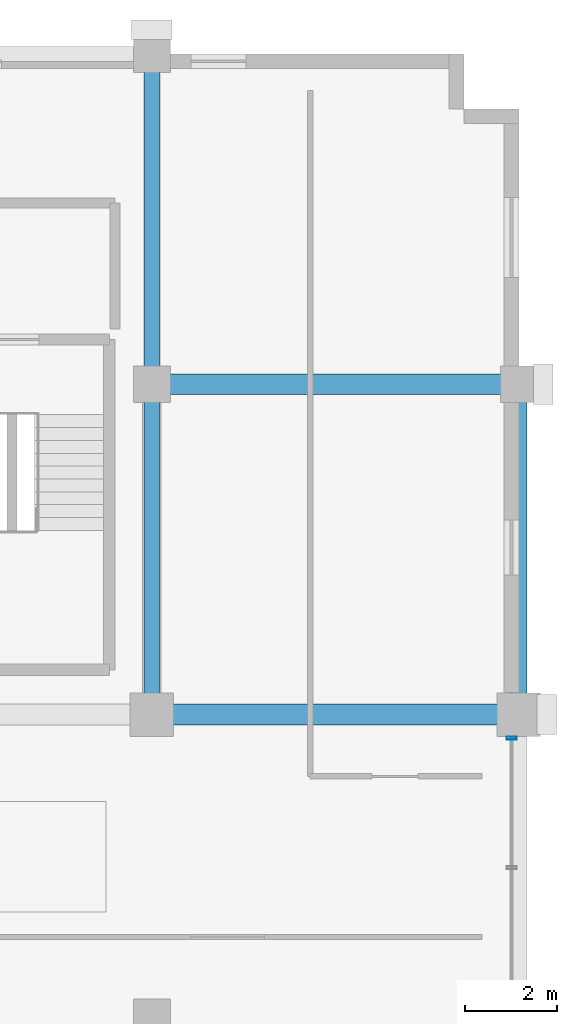
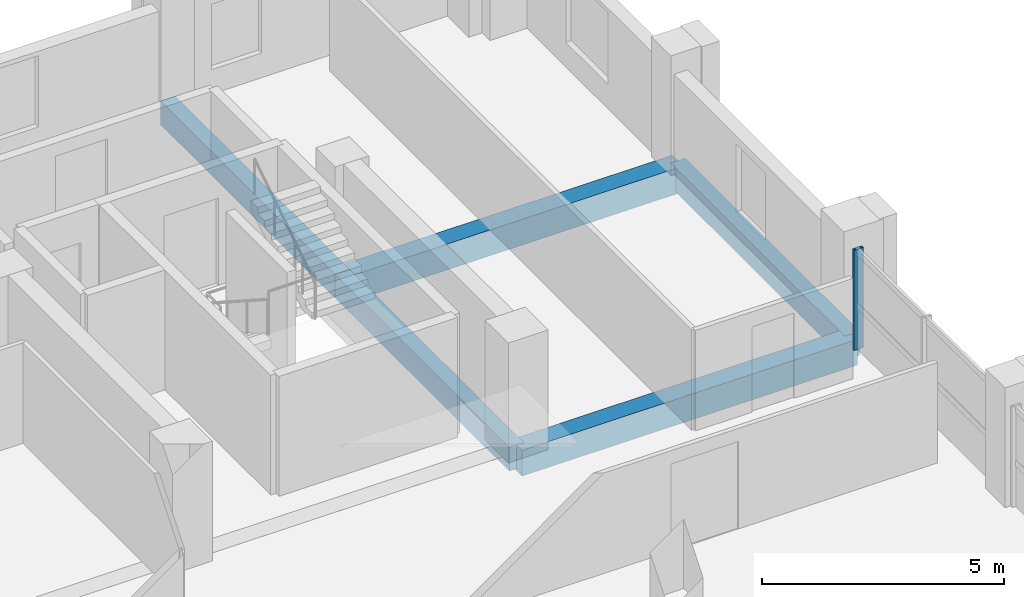
# One storey, part 16 of 23: 5 beams, 1 member, 1 element without a shape of its own.
"""IFC4 building model written with IfcOpenShell, lengths in metres."""

from ifc_helpers import new_model, si_unit, direction, frame, origin, origin_2d, place, context, subcontext, project, spatial, rectangle, hollow_rectangle, extrude, material, material_profile, profile_set, type_object, element, aggregate, save


model = new_model("IFC4")

# Units and contexts
model_context = context("Model", 3, precision=1e-05, world=origin(), true_north=direction((0.0, 1.0)))
body_context = subcontext(model_context, "Body", "Model", "MODEL_VIEW")
ifc_project = project(units=[si_unit("LENGTHUNIT", "METRE"), si_unit("AREAUNIT", "SQUARE_METRE"), si_unit("VOLUMEUNIT", "CUBIC_METRE"), si_unit("PLANEANGLEUNIT", "RADIAN"), si_unit("MASSUNIT", "GRAM", prefix="KILO")], contexts=[model_context])

# Site, building, storey
site_placement = place(None, origin())
site = spatial("IfcSite", under=ifc_project, at=site_placement, CompositionType="ELEMENT")
building_placement = place(site_placement, origin())
building = spatial("IfcBuilding", under=site, at=building_placement, Name="Akrevak Sports Hall", CompositionType="ELEMENT")
storey_placement = place(building_placement, frame((0.0, 0.0, 43.800048828125)))
storey = spatial("IfcBuildingStorey", under=building, at=storey_placement, Name="L10", CompositionType="ELEMENT", Elevation=43.800048828125)

# Curtain wall, member
ifc_material_1 = material(Name="Anodized Bronze Aluminium & Low-E Glass", Category="aluminium")
curtain_wall_type = type_object("IfcCurtainWallType", Name="ARC-CW-TWR-64x30", PredefinedType="NOTDEFINED", material=ifc_material_1)
curtain_wall_placement = place(storey_placement, origin())
curtain_wall = element("IfcCurtainWall", 1, at=curtain_wall_placement, inside=storey, type_object=curtain_wall_type, Name="Curtain Wall CW-L10-E14", PredefinedType="NOTDEFINED")
ifc_material_2 = material(Name="Anodized Bronze Aluminium", Category="aluminium")
ifc_material_profile_1 = material_profile(ifc_material_2, hollow_rectangle(XDim=0.06494140625, YDim=0.219970703125, WallThickness=0.00439453125, at=origin_2d()), Name="CWM 65x220", Category="aluminium")
ifc_profile_set_1 = profile_set([ifc_material_profile_1], Name="Anodized Bronze Aluminium")
member_type = type_object("IfcMemberType", Name="ARC-CWM-70x160", PredefinedType="MULLION", material=ifc_profile_set_1)
member_placement = place(storey_placement, frame((107.840087890625, 54.68505859375, 0.0), z_axis=(0.0, 0.0, 1.0), x_axis=(0.0, 1.0, 0.0)))
member = element("IfcMember", 2, at=member_placement, type_object=member_type, Name="Curtain Wall Mullion CW-L10-E14-M3", PredefinedType="MULLION", context=body_context, shape_type="SweptSolid", body=[
    extrude(hollow_rectangle(XDim=0.06494140625, YDim=0.219970703125, WallThickness=0.00439453125, at=origin_2d()), origin(), (0.0, 0.0, 1.0), 2.530029296875),
])
aggregate(curtain_wall, [member])

# Beams
ifc_material_3 = material(Name="Concrete C40/50", Category="concrete")
ifc_material_profile_2 = material_profile(ifc_material_3, rectangle(XDim=0.35009765625, YDim=0.60009765625, at=origin_2d()), Name="BM 350x600", Category="concrete")
ifc_profile_set_2 = profile_set([ifc_material_profile_2], Name="Concrete C40/50")
beam_type_1 = type_object("IfcBeamType", Name="STR-BM-RC350x600", PredefinedType="BEAM", material=ifc_profile_set_2)
beam_1_placement = place(storey_placement, frame((100.0, 55.199951171875, -0.300048828125), z_axis=(0.0, 1.0, 0.0), x_axis=(-1.0, 0.0, 0.0)))
element("IfcBeam", 3, at=beam_1_placement, inside=storey, type_object=beam_type_1, Name="Girder 14/I-J (L10)", PredefinedType="BEAM", context=body_context, shape_type="SweptSolid", body=[
    extrude(rectangle(XDim=0.35009765625, YDim=0.60009765625, at=origin_2d()), origin(), (0.0, 0.0, 1.0), 7.199951171875),
])
beam_2_placement = place(storey_placement, frame((100.0, 62.39990234375, -0.300048828125), z_axis=(0.0, 1.0, 0.0), x_axis=(-1.0, 0.0, 0.0)))
element("IfcBeam", 4, at=beam_2_placement, inside=storey, type_object=beam_type_1, Name="Girder 14/J-K (L10)", PredefinedType="BEAM", context=body_context, shape_type="SweptSolid", body=[
    extrude(rectangle(XDim=0.35009765625, YDim=0.60009765625, at=origin_2d()), origin(), (0.0, 0.0, 1.0), 7.2001953125),
])
beam_3_placement = place(storey_placement, frame((108.0, 55.199951171875, -0.300048828125), z_axis=(0.0, 1.0, 0.0), x_axis=(-1.0, 0.0, 0.0)))
element("IfcBeam", 5, at=beam_3_placement, inside=storey, type_object=beam_type_1, Name="Girder 15/I-J (L10)", PredefinedType="BEAM", context=body_context, shape_type="SweptSolid", body=[
    extrude(rectangle(XDim=0.35009765625, YDim=0.60009765625, at=origin_2d()), origin(), (0.0, 0.0, 1.0), 7.199951171875),
])
ifc_material_profile_3 = material_profile(ifc_material_3, rectangle(XDim=0.449951171875, YDim=0.64990234375, at=origin_2d()), Name="BM 450x650", Category="concrete")
ifc_profile_set_3 = profile_set([ifc_material_profile_3], Name="Concrete C40/50")
beam_type_2 = type_object("IfcBeamType", Name="STR-BM-RC450x650", PredefinedType="BEAM", material=ifc_profile_set_3)
for number, where, z_axis, x_axis, name in (
    (6, (100.0, 55.199951171875, -0.324951171875), (1.0, 0.0, 0.0), (0.0, 1.0, 0.0), "Girder I/14-15 (L10)"),
    (7, (100.0, 62.39990234375, -0.324951171875), (1.0, 0.0, 0.0), (0.0, 1.0, 0.0), "Girder J/14-15 (L10)"),
):
    element("IfcBeam", number, at=place(storey_placement, frame(where, z_axis=z_axis, x_axis=x_axis)), inside=storey, type_object=beam_type_2, Name=name, PredefinedType="BEAM", context=body_context, shape_type="SweptSolid", body=[
        extrude(rectangle(XDim=0.449951171875, YDim=0.64990234375, at=origin_2d()), origin(), (0.0, 0.0, 1.0), 8.0),
    ])

save(model, "model.ifc")
